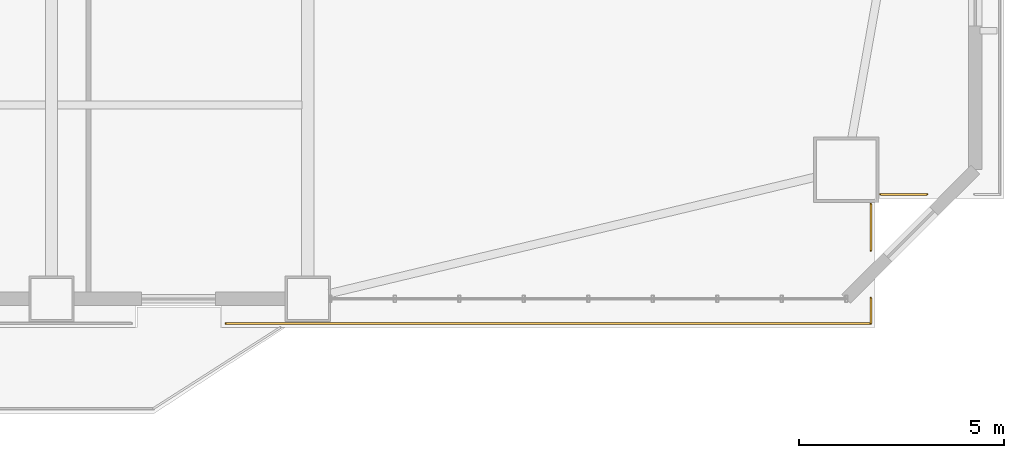
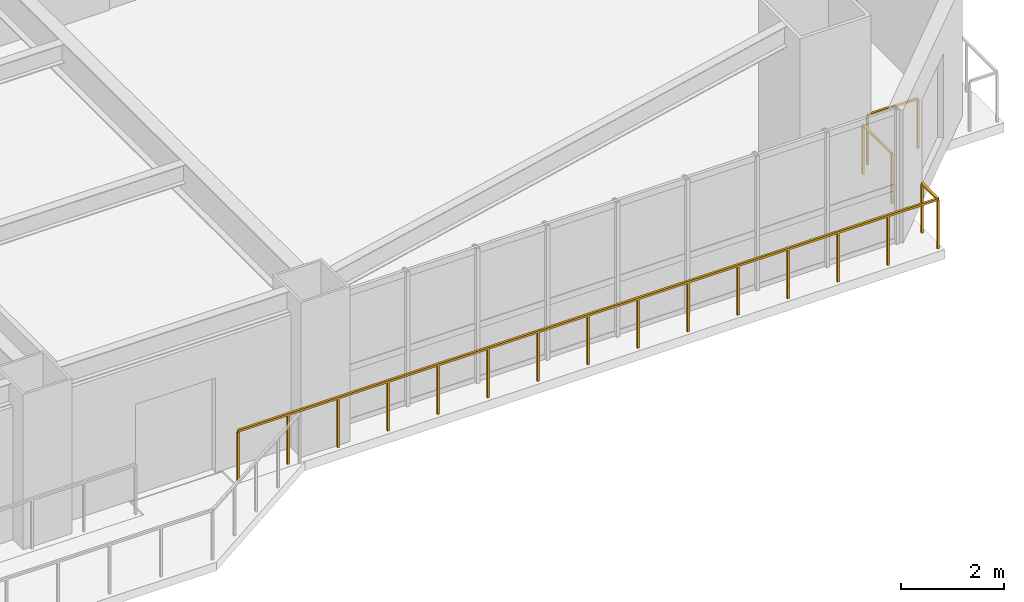
# One storey, part 14 of 17: 4 railings.
"""IFC4 building model written with IfcOpenShell, lengths in metres."""

from ifc_helpers import new_model, si_unit, direction, frame, origin, origin_2d, place, context, subcontext, project, spatial, rectangle, extrude, material, type_object, element, save


model = new_model("IFC4")

# Units and contexts
model_context = context("Model", 3, precision=1e-05, world=origin(), true_north=direction((0.0, 1.0)))
body_context = subcontext(model_context, "Body", "Model", "MODEL_VIEW")
ifc_project = project(units=[si_unit("LENGTHUNIT", "METRE"), si_unit("AREAUNIT", "SQUARE_METRE"), si_unit("VOLUMEUNIT", "CUBIC_METRE"), si_unit("PLANEANGLEUNIT", "RADIAN"), si_unit("MASSUNIT", "GRAM", prefix="KILO")], contexts=[model_context])

# Site, building, storey
site_placement = place(None, origin())
site = spatial("IfcSite", under=ifc_project, at=site_placement, CompositionType="ELEMENT")
building_placement = place(site_placement, origin())
building = spatial("IfcBuilding", under=site, at=building_placement, Name="Giltprow Tower", CompositionType="ELEMENT")
storey_placement = place(building_placement, frame((0.0, 0.0, 53.300048828125)))
storey = spatial("IfcBuildingStorey", under=building, at=storey_placement, Name="L13", CompositionType="ELEMENT", Elevation=53.300048828125)

# Railings
ifc_material = material(Name="Anodized bronze", Category="metal")
railing_type = type_object("IfcRailingType", Name="RAIL-BALC-GUARD-1200", PredefinedType="BALUSTRADE", material=ifc_material)
railing_1_placement = place(storey_placement, frame((65.64990234375, 6.902099609375, 0.0)))
element("IfcRailing", 1, at=railing_1_placement, inside=storey, type_object=railing_type, Name="L13 Corner Apron Edge Balustrade 16", PredefinedType="BALUSTRADE", context=body_context, shape_type="SweptSolid", body=[
    extrude(rectangle(XDim=0.048095703125, YDim=0.048095703125, at=origin_2d()), frame((0.0, 0.0, 1.17578125), z_axis=(-1.0, 0.0, 0.0), x_axis=(0.0, -1.0, 0.0)), (0.0, 0.0, 1.0), 1.1328125),
    extrude(rectangle(XDim=0.0419921875, YDim=0.0419921875, at=origin_2d()), origin(), (0.0, 0.0, 1.0), 1.15185546875),
    extrude(rectangle(XDim=0.0419921875, YDim=0.0419921875, at=origin_2d()), frame((-1.1328125, 0.0, 0.0)), (0.0, 0.0, 1.0), 1.15185546875),
])
railing_2_placement = place(storey_placement, frame((64.281982421875, 6.6669921875, 0.0)))
element("IfcRailing", 2, at=railing_2_placement, inside=storey, type_object=railing_type, Name="L13 Corner Apron Edge Balustrade 17", PredefinedType="BALUSTRADE", context=body_context, shape_type="SweptSolid", body=[
    extrude(rectangle(XDim=0.048095703125, YDim=0.048095703125, at=origin_2d()), frame((0.0, 0.0, 1.17578125), z_axis=(0.0, -1.0, 0.0), x_axis=(1.0, 0.0, 0.0)), (0.0, 0.0, 1.0), 1.133056640625),
    extrude(rectangle(XDim=0.0419921875, YDim=0.0419921875, at=origin_2d()), origin(), (0.0, 0.0, 1.0), 1.15185546875),
    extrude(rectangle(XDim=0.0419921875, YDim=0.0419921875, at=origin_2d()), frame((0.0, -1.133056640625, 0.0)), (0.0, 0.0, 1.0), 1.15185546875),
])
railing_3_placement = place(storey_placement, frame((64.281982421875, 4.3740234375, 0.0)))
element("IfcRailing", 3, at=railing_3_placement, inside=storey, type_object=railing_type, Name="L13 Corner Apron Edge Balustrade 18", PredefinedType="BALUSTRADE", context=body_context, shape_type="SweptSolid", body=[
    extrude(rectangle(XDim=0.048095703125, YDim=0.048095703125, at=origin_2d()), frame((0.0, 0.0, 1.17578125), z_axis=(0.0, -1.0, 0.0), x_axis=(1.0, 0.0, 0.0)), (0.0, 0.0, 1.0), 0.6201171875),
    extrude(rectangle(XDim=0.0419921875, YDim=0.0419921875, at=origin_2d()), origin(), (0.0, 0.0, 1.0), 1.15185546875),
    extrude(rectangle(XDim=0.0419921875, YDim=0.0419921875, at=origin_2d()), frame((0.0, -0.6201171875, 0.0)), (0.0, 0.0, 1.0), 1.15185546875),
])
railing_4_placement = place(storey_placement, frame((64.281982421875, 3.75390625, 0.0)))
element("IfcRailing", 4, at=railing_4_placement, inside=storey, type_object=railing_type, Name="L13 Corner Apron Edge Balustrade 19", PredefinedType="BALUSTRADE", context=body_context, shape_type="SweptSolid", body=[
    extrude(rectangle(XDim=0.048095703125, YDim=0.048095703125, at=origin_2d()), frame((0.0, 0.0, 1.17578125), z_axis=(-1.0, 0.0, 0.0), x_axis=(0.0, -1.0, 0.0)), (0.0, 0.0, 1.0), 15.73193359375),
    extrude(rectangle(XDim=0.0419921875, YDim=0.0419921875, at=origin_2d()), origin(), (0.0, 0.0, 1.0), 1.15185546875),
    extrude(rectangle(XDim=0.0419921875, YDim=0.0419921875, at=origin_2d()), frame((-1.123779296875, 0.0, 0.0)), (0.0, 0.0, 1.0), 1.15185546875),
    extrude(rectangle(XDim=0.0419921875, YDim=0.0419921875, at=origin_2d()), frame((-2.247314453125, 0.0, 0.0)), (0.0, 0.0, 1.0), 1.15185546875),
    extrude(rectangle(XDim=0.0419921875, YDim=0.0419921875, at=origin_2d()), frame((-3.37109375, 0.0, 0.0)), (0.0, 0.0, 1.0), 1.15185546875),
    extrude(rectangle(XDim=0.0419921875, YDim=0.0419921875, at=origin_2d()), frame((-4.494873046875, 0.0, 0.0)), (0.0, 0.0, 1.0), 1.15185546875),
    extrude(rectangle(XDim=0.0419921875, YDim=0.0419921875, at=origin_2d()), frame((-5.61865234375, 0.0, 0.0)), (0.0, 0.0, 1.0), 1.15185546875),
    extrude(rectangle(XDim=0.0419921875, YDim=0.0419921875, at=origin_2d()), frame((-6.7421875, 0.0, 0.0)), (0.0, 0.0, 1.0), 1.15185546875),
    extrude(rectangle(XDim=0.0419921875, YDim=0.0419921875, at=origin_2d()), frame((-7.865966796875, 0.0, 0.0)), (0.0, 0.0, 1.0), 1.15185546875),
    extrude(rectangle(XDim=0.0419921875, YDim=0.0419921875, at=origin_2d()), frame((-8.98974609375, 0.0, 0.0)), (0.0, 0.0, 1.0), 1.15185546875),
    extrude(rectangle(XDim=0.0419921875, YDim=0.0419921875, at=origin_2d()), frame((-10.11328125, 0.0, 0.0)), (0.0, 0.0, 1.0), 1.15185546875),
    extrude(rectangle(XDim=0.0419921875, YDim=0.0419921875, at=origin_2d()), frame((-11.237060546875, 0.0, 0.0)), (0.0, 0.0, 1.0), 1.15185546875),
    extrude(rectangle(XDim=0.0419921875, YDim=0.0419921875, at=origin_2d()), frame((-12.36083984375, 0.0, 0.0)), (0.0, 0.0, 1.0), 1.15185546875),
    extrude(rectangle(XDim=0.0419921875, YDim=0.0419921875, at=origin_2d()), frame((-13.484619140625, 0.0, 0.0)), (0.0, 0.0, 1.0), 1.15185546875),
    extrude(rectangle(XDim=0.0419921875, YDim=0.0419921875, at=origin_2d()), frame((-14.608154296875, 0.0, 0.0)), (0.0, 0.0, 1.0), 1.15185546875),
    extrude(rectangle(XDim=0.0419921875, YDim=0.0419921875, at=origin_2d()), frame((-15.73193359375, 0.0, 0.0)), (0.0, 0.0, 1.0), 1.15185546875),
])

save(model, "model.ifc")
